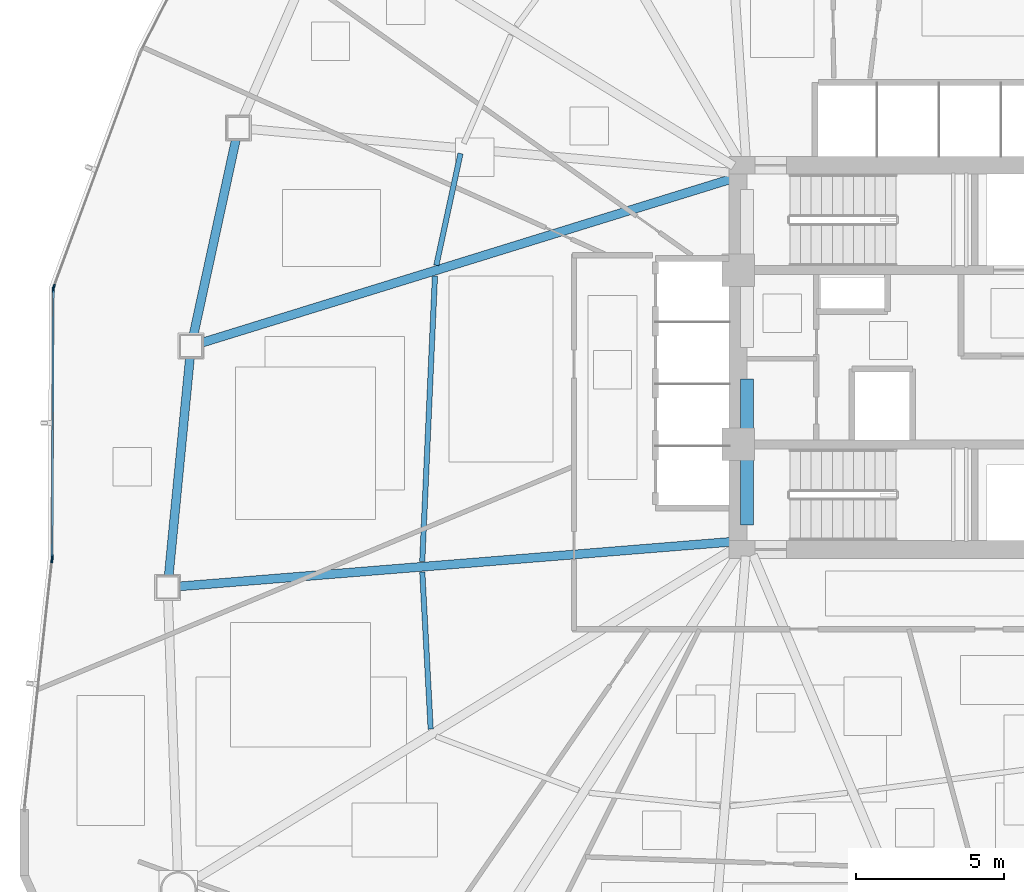
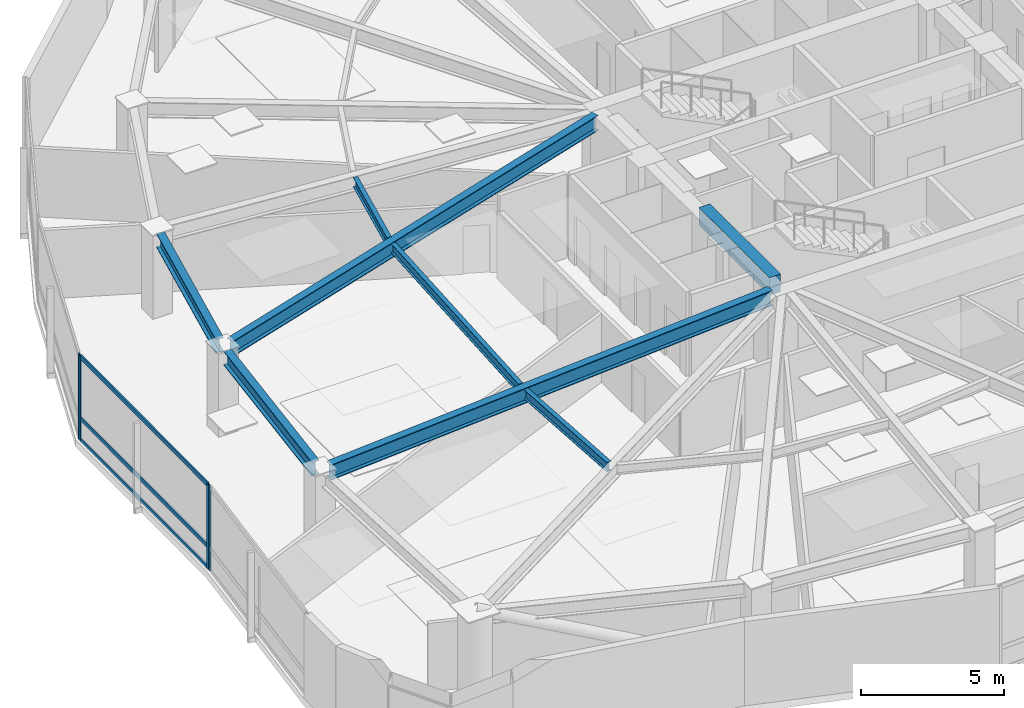
# One storey, part 4 of 18: 8 beams, 7 members, 3 elements without a shape of their own.
"""IFC4 building model written with IfcOpenShell, lengths in metres."""

from ifc_helpers import new_model, si_unit, direction, frame, origin, origin_2d, place, context, subcontext, project, spatial, rectangle, hollow_rectangle, i_section, extrude, source, transform, mapped, material, layer, layer_set, material_profile, profile_set, type_object, type_shapes, element, aggregate, save


model = new_model("IFC4")

# Units and contexts
model_context = context("Model", 3, precision=1e-05, world=origin(), true_north=direction((0.0, 1.0)))
body_context = subcontext(model_context, "Body", "Model", "MODEL_VIEW")
ifc_project = project(units=[si_unit("LENGTHUNIT", "METRE"), si_unit("AREAUNIT", "SQUARE_METRE"), si_unit("VOLUMEUNIT", "CUBIC_METRE"), si_unit("PLANEANGLEUNIT", "RADIAN"), si_unit("MASSUNIT", "GRAM", prefix="KILO")], contexts=[model_context])

# Site, building, storey
site_placement = place(None, origin())
site = spatial("IfcSite", under=ifc_project, at=site_placement, CompositionType="ELEMENT")
building_placement = place(site_placement, origin())
building = spatial("IfcBuilding", under=site, at=building_placement, Name="Tavelor Broadcast Tower", CompositionType="ELEMENT")
storey_placement = place(building_placement, frame((0.0, 0.0, 51.0)))
storey = spatial("IfcBuildingStorey", under=building, at=storey_placement, Name="L11", CompositionType="ELEMENT", Elevation=51.0)

# Beams
ifc_material_1 = material(Name="Concrete C40/50", Category="concrete")
ifc_material_profile_1 = material_profile(ifc_material_1, rectangle(XDim=0.449951171875, YDim=0.75, at=origin_2d()), Name="RC 450x750")
ifc_profile_set_1 = profile_set([ifc_material_profile_1], Name="Concrete C40/50")
beam_type_1 = type_object("IfcBeamType", Name="Basement Core Trim Beam 450x750", PredefinedType="BEAM", material=ifc_profile_set_1)
beam_1_placement = place(storey_placement, frame((43.39990234375, 39.327880859375, 3.22509765625), z_axis=(0.0, 1.0, 0.0), x_axis=(-1.0, 0.0, 0.0)))
element("IfcBeam", 1, at=beam_1_placement, inside=storey, type_object=beam_type_1, Name="L11 Core West-S Tie Girder", PredefinedType="BEAM", context=body_context, shape_type="SweptSolid", body=[
    extrude(rectangle(XDim=0.449951171875, YDim=0.75, at=origin_2d()), origin(), (0.0, 0.0, 1.0), 4.944091796875),
])
ifc_material_2 = material(Name="Steel S355", Category="steel")
ifc_material_profile_2 = material_profile(ifc_material_2, i_section(OverallWidth=0.179931640625, OverallDepth=0.39990234375, WebThickness=0.008544921875, FlangeThickness=0.013427734375, at=origin_2d()), Name="IPE 400")
ifc_profile_set_2 = profile_set([ifc_material_profile_2], Name="Steel S355")
beam_type_2 = type_object("IfcBeamType", Name="Composite Floor Joist T1 IPE 400", PredefinedType="JOIST", material=ifc_profile_set_2)
beam_2_placement = place(storey_placement, frame((33.70654296875, 51.897216796875, 3.39990234375), z_axis=(-0.211371868345, -0.977405715797, 0.0), x_axis=(0.977405715797, -0.211371868345, 0.0)))
element("IfcBeam", 2, at=beam_2_placement, inside=storey, type_object=beam_type_2, Name="L11 Secondary Composite Floor Joist 04", PredefinedType="JOIST", context=body_context, shape_type="SweptSolid", body=[
    extrude(i_section(OverallWidth=0.179931640625, OverallDepth=0.39990234375, WebThickness=0.008544921875, FlangeThickness=0.013427734375, at=origin_2d()), origin(), (0.0, 0.0, 1.0), 3.87158203125),
])
beam_3_placement = place(storey_placement, frame((32.841796875, 47.75537109375, 3.39990234375), z_axis=(-0.044449316538, -0.999011640703, 0.0), x_axis=(0.999011640703, -0.044449316538, 0.0)))
element("IfcBeam", 3, at=beam_3_placement, inside=storey, type_object=beam_type_2, Name="L11 Secondary Composite Floor Joist 05", PredefinedType="JOIST", context=body_context, shape_type="SweptSolid", body=[
    extrude(i_section(OverallWidth=0.179931640625, OverallDepth=0.39990234375, WebThickness=0.008544921875, FlangeThickness=0.013427734375, at=origin_2d()), origin(), (0.0, 0.0, 1.0), 9.67236328125),
])
beam_4_placement = place(storey_placement, frame((32.413330078125, 37.73095703125, 3.39990234375), z_axis=(0.053261912521, -0.998580576956, 0.0), x_axis=(0.998580576956, 0.053261912521, 0.0)))
element("IfcBeam", 4, at=beam_4_placement, inside=storey, type_object=beam_type_2, Name="L11 Secondary Composite Floor Joist 06", PredefinedType="JOIST", context=body_context, shape_type="SweptSolid", body=[
    extrude(i_section(OverallWidth=0.179931640625, OverallDepth=0.39990234375, WebThickness=0.008544921875, FlangeThickness=0.013427734375, at=origin_2d()), origin(), (0.0, 0.0, 1.0), 5.32177734375),
])
ifc_material_profile_3 = material_profile(ifc_material_2, i_section(OverallWidth=0.300048828125, OverallDepth=0.60009765625, WebThickness=0.015380859375, FlangeThickness=0.030029296875, at=origin_2d()), Name="HEB 600")
ifc_profile_set_3 = profile_set([ifc_material_profile_3], Name="Steel S355")
beam_type_3 = type_object("IfcBeamType", Name="Perimeter Spandrel Beam T1 HEB 600", PredefinedType="SPANDREL", material=ifc_profile_set_3)
beam_5_placement = place(storey_placement, frame((26.10791015625, 52.3828125, 3.300048828125), z_axis=(-0.211857092451, -0.977300656082, 0.0), x_axis=(0.977300656082, -0.211857092451, 0.0)))
element("IfcBeam", 5, at=beam_5_placement, inside=storey, type_object=beam_type_3, Name="L11 Framed-Tube Ring Spandrel 04", PredefinedType="SPANDREL", context=body_context, shape_type="SweptSolid", body=[
    extrude(i_section(OverallWidth=0.300048828125, OverallDepth=0.60009765625, WebThickness=0.015380859375, FlangeThickness=0.030029296875, at=origin_2d()), origin(), (0.0, 0.0, 1.0), 6.780517578125),
])
beam_6_placement = place(storey_placement, frame((24.552734375, 44.99853515625, 3.300048828125), z_axis=(-0.096967474029, -0.995287550902, 0.0), x_axis=(0.995287550902, -0.096967474029, 0.0)))
element("IfcBeam", 6, at=beam_6_placement, inside=storey, type_object=beam_type_3, Name="L11 Framed-Tube Ring Spandrel 05", PredefinedType="SPANDREL", context=body_context, shape_type="SweptSolid", body=[
    extrude(i_section(OverallWidth=0.300048828125, OverallDepth=0.60009765625, WebThickness=0.015380859375, FlangeThickness=0.030029296875, at=origin_2d()), origin(), (0.0, 0.0, 1.0), 7.43505859375),
])
ifc_material_profile_4 = material_profile(ifc_material_2, i_section(OverallWidth=0.300048828125, OverallDepth=0.64990234375, WebThickness=0.01611328125, FlangeThickness=0.031005859375, at=origin_2d()), Name="HEB 650")
ifc_profile_set_4 = profile_set([ifc_material_profile_4], Name="Steel S355")
beam_type_4 = type_object("IfcBeamType", Name="Radial Floor Girder T1 HEB 650", PredefinedType="BEAM", material=ifc_profile_set_4)
beam_7_placement = place(storey_placement, frame((42.8955078125, 51.0439453125, 3.27490234375), z_axis=(-0.955325842182, -0.29555462314, 0.0), x_axis=(0.29555462314, -0.955325842182, 0.0)))
element("IfcBeam", 7, at=beam_7_placement, inside=storey, type_object=beam_type_4, Name="L11 Radial Primary Floor Girder 05", PredefinedType="BEAM", context=body_context, shape_type="SweptSolid", body=[
    extrude(i_section(OverallWidth=0.300048828125, OverallDepth=0.64990234375, WebThickness=0.01611328125, FlangeThickness=0.031005859375, at=origin_2d()), origin(), (0.0, 0.0, 1.0), 18.777587890625),
])
beam_8_placement = place(storey_placement, frame((42.873779296875, 38.757568359375, 3.27490234375), z_axis=(-0.996753315624, -0.080516009538, 0.0), x_axis=(0.080516009538, -0.996753315624, 0.0)))
element("IfcBeam", 8, at=beam_8_placement, inside=storey, type_object=beam_type_4, Name="L11 Radial Primary Floor Girder 06", PredefinedType="BEAM", context=body_context, shape_type="SweptSolid", body=[
    extrude(i_section(OverallWidth=0.300048828125, OverallDepth=0.64990234375, WebThickness=0.01611328125, FlangeThickness=0.031005859375, at=origin_2d()), origin(), (0.0, 0.0, 1.0), 18.757080078125),
])

# Curtain wall, member
ifc_material_3 = material(Name="Architectural Anodized Aluminium", Category="aluminium")
ifc_layer = layer(ifc_material_3, 0.179931640625)
ifc_layer_set = layer_set([ifc_layer], Name="Architectural Anodized Aluminium")
curtain_wall_type = type_object("IfcCurtainWallType", Name="Tower Low-Zone Unitised Curtain Wall CW02", PredefinedType="NOTDEFINED", material=ifc_layer_set)
curtain_wall_1_placement = place(storey_placement, origin())
curtain_wall_1 = element("IfcCurtainWall", 9, at=curtain_wall_1_placement, inside=storey, type_object=curtain_wall_type, Name="L11 Curtain Wall CW02 Run 86", PredefinedType="NOTDEFINED")
ifc_material_profile_5 = material_profile(ifc_material_3, hollow_rectangle(XDim=0.06494140625, YDim=0.179931640625, WallThickness=0.02197265625, at=origin_2d()), Name="RHS 65x180x22")
ifc_profile_set_5 = profile_set([ifc_material_profile_5], Name="Architectural Anodized Aluminium")
member_type_1 = type_object("IfcMemberType", Name="CW02 Extruded Aluminium Mullion 65x180", PredefinedType="MULLION", material=ifc_profile_set_5)
shared_shape_1 = source(origin(), body_context, "Body", "SweptSolid", [
    extrude(hollow_rectangle(XDim=0.06494140625, YDim=0.179931640625, WallThickness=0.02197265625, at=origin_2d()), origin(), (0.0, 0.0, 1.0), 3.60009765625),
])
type_shapes(member_type_1, [shared_shape_1])
member_1_placement = place(storey_placement, frame((19.944091796875, 47.380615234375, 0.0), z_axis=(0.0, 0.0, 1.0), x_axis=(0.938345731928, -0.345698260586, 0.0)))
member_1 = element("IfcMember", 10, at=member_1_placement, type_object=member_type_1, Name="CW02 mullion 2", PredefinedType="MULLION", context=body_context, shape_type="MappedRepresentation", body=[
    mapped(shared_shape_1, transform((0.0, 0.0, 0.0), scale=1.0)),
])
aggregate(curtain_wall_1, [member_1])

# Curtain wall, members
curtain_wall_2_placement = place(storey_placement, origin())
curtain_wall_2 = element("IfcCurtainWall", 11, at=curtain_wall_2_placement, inside=storey, type_object=curtain_wall_type, Name="L11 Curtain Wall CW02 Run 87", PredefinedType="NOTDEFINED")
member_2_placement = place(storey_placement, frame((19.92724609375, 47.288330078125, 0.0), z_axis=(0.0, 0.0, 1.0), x_axis=(0.999990282817, -0.004408431965, 0.0)))
member_2 = element("IfcMember", 12, at=member_2_placement, type_object=member_type_1, Name="CW02 mullion 1", PredefinedType="MULLION", context=body_context, shape_type="MappedRepresentation", body=[
    mapped(shared_shape_1, transform((0.0, 0.0, 0.0), scale=1.0)),
])
member_3_placement = place(storey_placement, frame((19.887451171875, 38.234619140625, 0.0), z_axis=(0.0, 0.0, 1.0), x_axis=(0.999990282817, -0.004408431965, 0.0)))
member_3 = element("IfcMember", 13, at=member_3_placement, type_object=member_type_1, Name="CW02 mullion 2", PredefinedType="MULLION", context=body_context, shape_type="MappedRepresentation", body=[
    mapped(shared_shape_1, transform((0.0, 0.0, 0.0), scale=1.0)),
])

# Curtain wall, member
curtain_wall_3_placement = place(storey_placement, origin())
curtain_wall_3 = element("IfcCurtainWall", 14, at=curtain_wall_3_placement, inside=storey, type_object=curtain_wall_type, Name="L11 Curtain Wall CW02 Run 88", PredefinedType="NOTDEFINED")
member_4_placement = place(storey_placement, frame((19.882080078125, 38.139892578125, 0.0), z_axis=(0.0, 0.0, 1.0), x_axis=(0.993915698011, -0.110143475738, 0.0)))
member_4 = element("IfcMember", 15, at=member_4_placement, type_object=member_type_1, Name="CW02 mullion 1", PredefinedType="MULLION", context=body_context, shape_type="MappedRepresentation", body=[
    mapped(shared_shape_1, transform((0.0, 0.0, 0.0), scale=1.0)),
])
aggregate(curtain_wall_3, [member_4])

# Member
ifc_material_profile_6 = material_profile(ifc_material_3, hollow_rectangle(XDim=0.06494140625, YDim=0.179931640625, WallThickness=0.02197265625, at=origin_2d()), Name="RHS 65x180x22")
ifc_profile_set_6 = profile_set([ifc_material_profile_6], Name="Architectural Anodized Aluminium")
member_type_2 = type_object("IfcMemberType", Name="CW02 Extruded Aluminium Transom 65x180", PredefinedType="USERDEFINED", material=ifc_profile_set_6)
shared_shape_2 = source(origin(), body_context, "Body", "SweptSolid", [
    extrude(hollow_rectangle(XDim=0.06494140625, YDim=0.179931640625, WallThickness=0.02197265625, at=origin_2d()), origin(), (0.0, 0.0, 1.0), 8.98876953125),
])
type_shapes(member_type_2, [shared_shape_2])
member_5_placement = place(storey_placement, frame((19.92724609375, 47.255859375, 0.032470703125), z_axis=(-0.004399979136, -0.999990320045, 0.0), x_axis=(0.999990320045, -0.004399979136, 0.0)))
member_5 = element("IfcMember", 16, at=member_5_placement, type_object=member_type_2, Name="CW02 transom 1.1", ObjectType="TRANSOM", PredefinedType="USERDEFINED", context=body_context, shape_type="MappedRepresentation", body=[
    mapped(shared_shape_2, transform((0.0, 0.0, 0.0), scale=1.0)),
])

member_6_placement = place(storey_placement, frame((19.92724609375, 47.255859375, 0.949951171875), z_axis=(-0.004399979136, -0.999990320045, 0.0), x_axis=(0.999990320045, -0.004399979136, 0.0)))
member_6 = element("IfcMember", 17, at=member_6_placement, type_object=member_type_2, Name="CW02 transom 1.2", ObjectType="TRANSOM", PredefinedType="USERDEFINED", context=body_context, shape_type="MappedRepresentation", body=[
    mapped(shared_shape_2, transform((0.0, 0.0, 0.0), scale=1.0)),
])

member_7_placement = place(storey_placement, frame((19.92724609375, 47.255859375, 3.5673828125), z_axis=(-0.004399979136, -0.999990320045, 0.0), x_axis=(0.999990320045, -0.004399979136, 0.0)))
member_7 = element("IfcMember", 18, at=member_7_placement, type_object=member_type_2, Name="CW02 transom 1.3", ObjectType="TRANSOM", PredefinedType="USERDEFINED", context=body_context, shape_type="MappedRepresentation", body=[
    mapped(shared_shape_2, transform((0.0, 0.0, 0.0), scale=1.0)),
])

aggregate(curtain_wall_2, [member_2, member_3, member_5, member_6, member_7])

save(model, "model.ifc")
